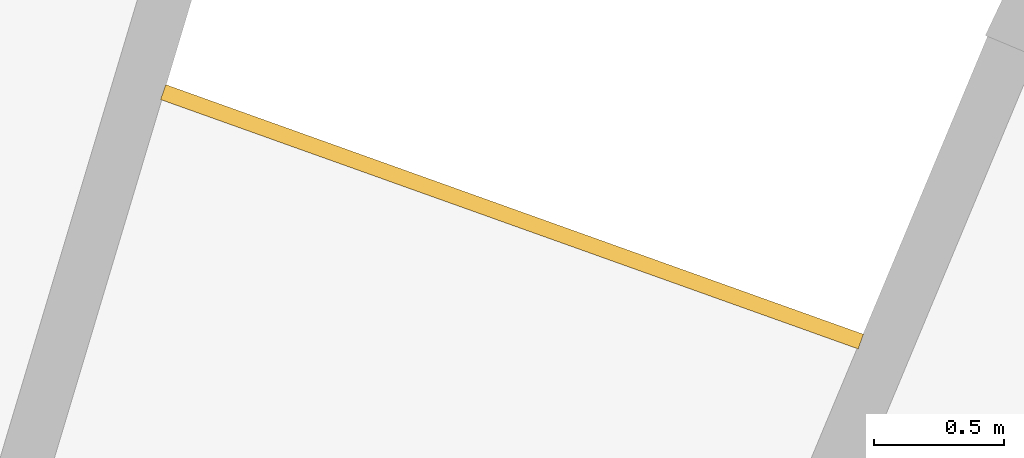
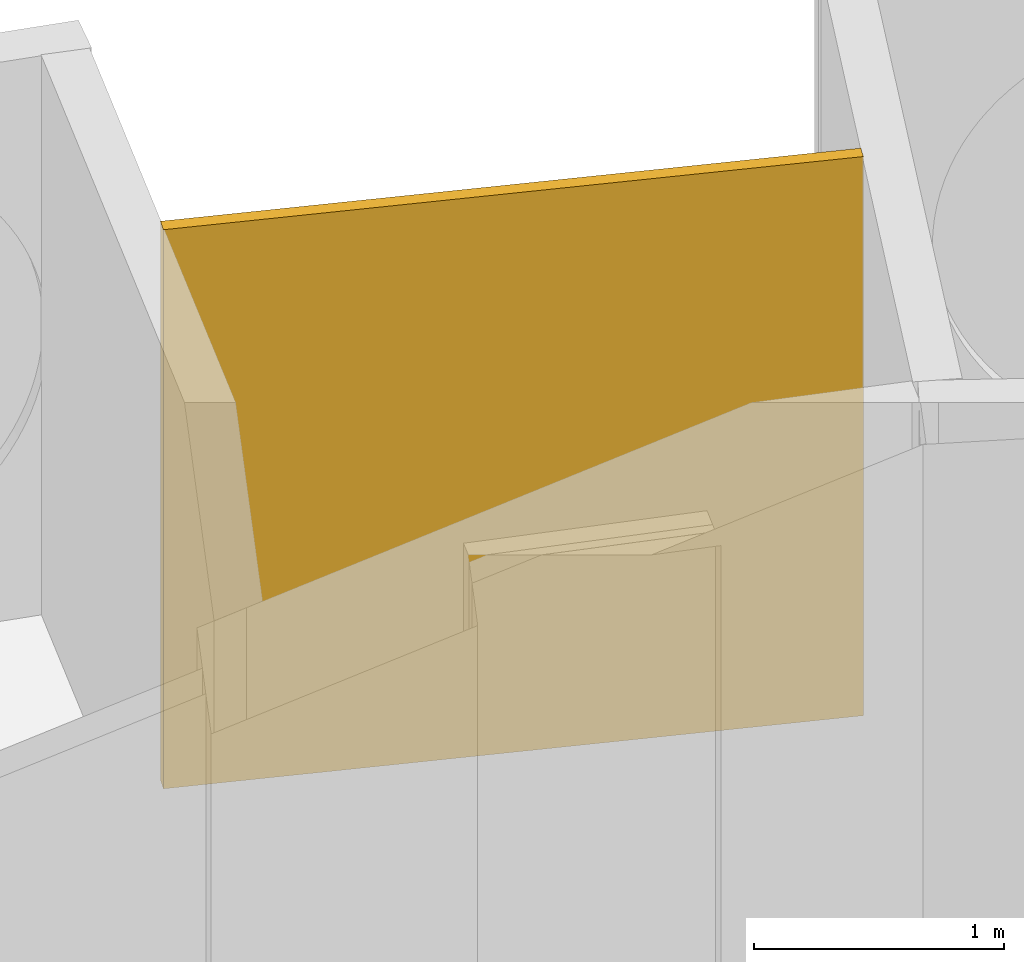
# One storey, part 28 of 28: 1 railing.
"""IFC4 building model written with IfcOpenShell, lengths in metres."""

import ifcopenshell
import ifcopenshell.guid

model = None  # the IFC model being written
_history = None  # IfcOwnerHistory: only IFC2X3 demands one
_inside = {}  # id of a spatial element -> (the spatial element, [elements in it])
_under = {}  # id of a project, library or spatial element -> (it, [spatial elements below it])
_declared = {}  # id of a project -> (the project, [libraries it declares])
_typed = {}  # id of a type object -> (the type object, [elements of that type])
_made_of = {}  # id of a material, layer set ... -> (it, [elements and type objects made of it])


def new_model(schema):
    """Start an empty IFC model of exactly this schema.

    Asked for "IFC4X3", IfcOpenShell would pick the latest addendum, in which some entities
    have other attributes; the version numbers below select the first issue.
    IFC2X3 requires an IfcOwnerHistory on every rooted entity: one is made here for all.
    """
    global model, _history
    if schema == "IFC4X3":
        model = ifcopenshell.file(schema_version=(4, 3, 0, 0))
    else:
        model = ifcopenshell.file(schema=schema)
    _inside.clear()
    _under.clear()
    _declared.clear()
    _typed.clear()
    _made_of.clear()
    _history = None
    if model.schema == "IFC2X3":
        org = make("IfcOrganization", Name="unknown")
        user = make(
            "IfcPersonAndOrganization",
            ThePerson=make("IfcPerson", FamilyName="unknown"),
            TheOrganization=org,
        )
        app = make(
            "IfcApplication",
            ApplicationDeveloper=org,
            Version="unknown",
            ApplicationFullName="unknown",
            ApplicationIdentifier="unknown",
        )
        _history = make(
            "IfcOwnerHistory",
            OwningUser=user,
            OwningApplication=app,
            ChangeAction="ADDED",
            CreationDate=0,
        )
    return model


def make(cls, **values):
    """One entity of the class cls with the attributes given. An attribute that is None is left unset."""
    return model.create_entity(
        cls, **{name: value for name, value in values.items() if value is not None}
    )


def rooted(cls, **values):
    """An entity with a GlobalId (a new one), such as an element, a storey or a relation."""
    return make(cls, GlobalId=ifcopenshell.guid.new(), OwnerHistory=_history, **values)


def si_unit(unit_type, name, prefix=None):
    """IfcSIUnit, for example si_unit("LENGTHUNIT", "METRE", prefix="MILLI")."""
    return make("IfcSIUnit", UnitType=unit_type, Prefix=prefix, Name=name)


def assignment(units):
    """IfcUnitAssignment: the units of a project."""
    return None if units is None else make("IfcUnitAssignment", Units=units)


def point(xyz):
    """IfcCartesianPoint."""
    return None if xyz is None else make("IfcCartesianPoint", Coordinates=xyz)


def direction(xyz):
    """IfcDirection."""
    return None if xyz is None else make("IfcDirection", DirectionRatios=xyz)


def frame(location, z_axis=None, x_axis=None):
    """IfcAxis2Placement3D, a coordinate frame: its origin and axes. An axis left out is left unset."""
    return make(
        "IfcAxis2Placement3D",
        Location=point(location),
        Axis=direction(z_axis),
        RefDirection=direction(x_axis),
    )


def origin():
    """The frame at (0, 0, 0) with its axes left unset."""
    return frame((0.0, 0.0, 0.0))


def place(relative_to, where):
    """IfcLocalPlacement: puts the frame where relative to a parent placement (None: the world)."""
    return make(
        "IfcLocalPlacement", PlacementRelTo=relative_to, RelativePlacement=where
    )


def context(
    kind, dimensions, precision=None, world=None, true_north=None, identifier=None
):
    """IfcGeometricRepresentationContext, for example the 3D "Model" context."""
    return make(
        "IfcGeometricRepresentationContext",
        ContextIdentifier=identifier,
        ContextType=kind,
        CoordinateSpaceDimension=dimensions,
        Precision=precision,
        WorldCoordinateSystem=world,
        TrueNorth=true_north,
    )


def subcontext(parent, identifier, kind, view, scale=None):
    """IfcGeometricRepresentationSubContext, for example "Body" below "Model"."""
    return make(
        "IfcGeometricRepresentationSubContext",
        ContextIdentifier=identifier,
        ContextType=kind,
        ParentContext=parent,
        TargetScale=scale,
        TargetView=view,
    )


def project(units=None, contexts=None):
    """IfcProject with its units and contexts."""
    return rooted(
        "IfcProject",
        Name="project",
        RepresentationContexts=contexts,
        UnitsInContext=assignment(units),
    )


def spatial(cls, under=None, at=None, **own):
    """A site, building, storey or space (cls), placed at a placement, below another one or the project."""
    s = rooted(cls, ObjectPlacement=at, **own)
    if under is not None:
        _under.setdefault(under.id(), (under, []))[1].append(s)
    return s


def polyline(points):
    """IfcPolyline through the points."""
    return make("IfcPolyline", Points=[point(p) for p in points])


def outline(outer, holes=None, kind="AREA"):
    """IfcArbitraryClosedProfileDef: a profile drawn as a closed curve; with holes, ...WithVoids."""
    if holes is None:
        return make("IfcArbitraryClosedProfileDef", ProfileType=kind, OuterCurve=outer)
    return make(
        "IfcArbitraryProfileDefWithVoids",
        ProfileType=kind,
        OuterCurve=outer,
        InnerCurves=holes,
    )


def extrude(swept, where, along, depth):
    """IfcExtrudedAreaSolid: the profile swept, set in the frame where, extruded along a direction by depth."""
    return make(
        "IfcExtrudedAreaSolid",
        SweptArea=swept,
        Position=where,
        ExtrudedDirection=direction(along),
        Depth=depth,
    )


def shape(context_of_items, identifier, shape_type, items):
    """IfcShapeRepresentation: the items that make up one representation, for example the "Body"."""
    return make(
        "IfcShapeRepresentation",
        ContextOfItems=context_of_items,
        RepresentationIdentifier=identifier,
        RepresentationType=shape_type,
        Items=items,
    )


def material(Name=None, Category=None):
    """IfcMaterial."""
    return make("IfcMaterial", Name=Name, Category=Category)


def layer(
    of_material, thickness, ventilated=None, Name=None, Category=None, Priority=None
):
    """IfcMaterialLayer: one layer of a wall or slab, of a material (None: an air gap)."""
    return make(
        "IfcMaterialLayer",
        Material=of_material,
        LayerThickness=thickness,
        IsVentilated=ventilated,
        Name=Name,
        Category=Category,
        Priority=Priority,
    )


def layer_set(layers, Name=None):
    """IfcMaterialLayerSet."""
    return make("IfcMaterialLayerSet", MaterialLayers=layers, LayerSetName=Name)


def made_of(thing, what):
    """Note that an element or type object is made of a material, layer set ...; save() writes the relation."""
    if what is not None:
        _made_of.setdefault(what.id(), (what, []))[1].append(thing)
    return thing


def type_object(cls, material=None, **own):
    """A type object (cls), such as IfcWallType, which elements share."""
    return made_of(rooted(cls, **own), material)


def element(
    cls,
    number,
    at=None,
    inside=None,
    cuts=None,
    type_object=None,
    material=None,
    context=None,
    identifier="Body",
    shape_type=None,
    held_by="IfcProductDefinitionShape",
    body=None,
    shapes=None,
    **own,
):
    """One element of the class cls, such as IfcWall. Its Tag is "e" and its number.

    at: its placement. inside: the storey or other place that contains it. cuts: it is an
    opening in that element (IfcRelVoidsElement). A single representation is given by context,
    identifier, shape_type and body (its items); several are given by shapes. held_by: the class
    of the entity that holds the representations. save() writes the other relations.
    """
    e = rooted(cls, Tag="e%d" % number, ObjectPlacement=at, **own)
    if body is not None:
        shapes = [shape(context, identifier, shape_type, body)]
    if shapes is not None:
        e.Representation = make(held_by, Representations=shapes)
    if inside is not None:
        _inside.setdefault(inside.id(), (inside, []))[1].append(e)
    if cuts is not None:
        rooted(
            "IfcRelVoidsElement", RelatingBuildingElement=cuts, RelatedOpeningElement=e
        )
    if type_object is not None:
        _typed.setdefault(type_object.id(), (type_object, []))[1].append(e)
    return made_of(e, material)


def aggregate(whole, parts):
    """IfcRelAggregates: a whole, such as a stair, and the parts it consists of."""
    return rooted("IfcRelAggregates", RelatingObject=whole, RelatedObjects=parts)


def save(model, path):
    """Write the relations noted so far, then the file.

    IfcRelAggregates (storeys below a building ...), IfcRelContainedInSpatialStructure (elements
    in a storey), IfcRelDefinesByType, IfcRelAssociatesMaterial and IfcRelDeclares: one each for
    every whole, place, type object, material and project.
    """
    for whole, parts in _under.values():
        aggregate(whole, parts)
    for where, things in _inside.values():
        rooted(
            "IfcRelContainedInSpatialStructure",
            RelatedElements=things,
            RelatingStructure=where,
        )
    for kind, things in _typed.values():
        rooted("IfcRelDefinesByType", RelatedObjects=things, RelatingType=kind)
    for what, things in _made_of.values():
        rooted("IfcRelAssociatesMaterial", RelatedObjects=things, RelatingMaterial=what)
    for by, libraries in _declared.values():
        rooted("IfcRelDeclares", RelatingContext=by, RelatedDefinitions=libraries)
    model.write(path)


model = new_model("IFC4")

# Units and contexts
model_context = context("Model", 3, precision=1e-05, world=origin(), true_north=direction((0.0, 1.0)))
body_context = subcontext(model_context, "Body", "Model", "MODEL_VIEW")
ifc_project = project(units=[si_unit("LENGTHUNIT", "METRE"), si_unit("AREAUNIT", "SQUARE_METRE"), si_unit("VOLUMEUNIT", "CUBIC_METRE"), si_unit("PLANEANGLEUNIT", "RADIAN"), si_unit("MASSUNIT", "GRAM", prefix="KILO")], contexts=[model_context])

# Site, building, storey
site_placement = place(None, origin())
site = spatial("IfcSite", under=ifc_project, at=site_placement, CompositionType="ELEMENT")
building_placement = place(site_placement, origin())
building = spatial("IfcBuilding", under=site, at=building_placement, Name="Maasbend Ring Residences", CompositionType="ELEMENT")
storey_placement = place(building_placement, frame((0.0, 0.0, 231.0)))
storey = spatial("IfcBuildingStorey", under=building, at=storey_placement, Name="L66", CompositionType="ELEMENT", Elevation=231.0)

# Railing
ifc_material = material(Name="Pale anodised perforated aluminium", Category="aluminium")
ifc_layer = layer(ifc_material, 0.06005859375)
ifc_layer_set = layer_set([ifc_layer], Name="SCREEN-P")
railing_type = type_object("IfcRailingType", Name="SCREEN-P", PredefinedType="GUARDRAIL", material=ifc_layer_set)
railing_placement = place(storey_placement, frame((0.0, 0.0, -0.030029296875)))
element("IfcRailing", 1, at=railing_placement, inside=storey, type_object=railing_type, Name="Perforated screen guard 4", PredefinedType="GUARDRAIL", context=body_context, shape_type="SweptSolid", body=[
    extrude(outline(polyline([(11.097900390625, 26.79296875), (8.41796875, 27.7509765625), (8.43798828125, 27.80810546875), (11.117919921875, 26.84912109375), (11.097900390625, 26.79296875)])), origin(), (0.0, 0.0, 1.0), 2.72998046875),
])

save(model, "model.ifc")
